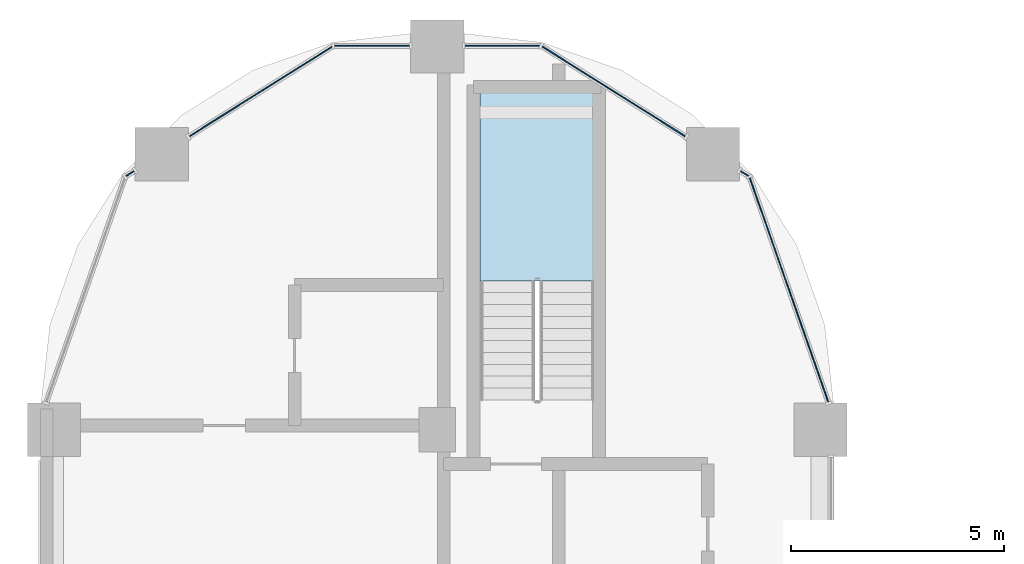
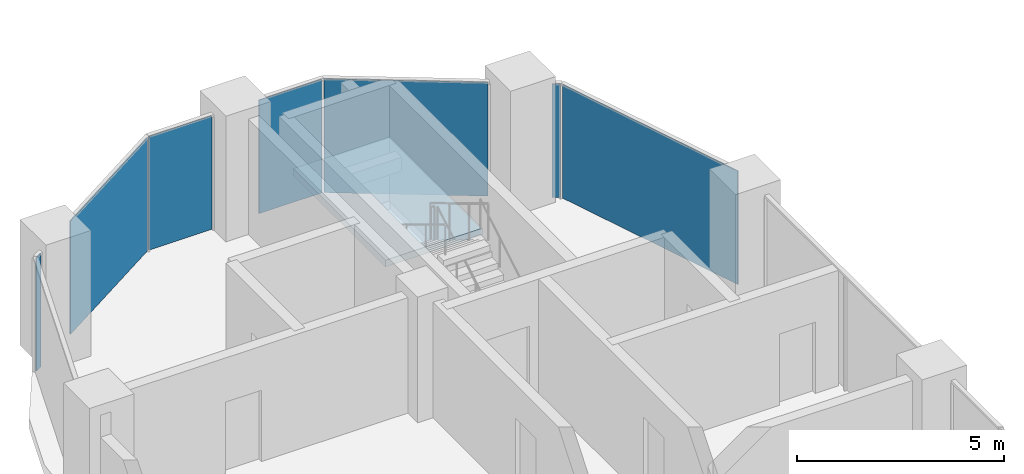
# One storey, part 15 of 33: 7 plates, 1 slab, 5 elements without a shape of their own.
"""IFC4 building model written with IfcOpenShell, lengths in metres."""

from ifc_helpers import new_model, si_unit, direction, frame, origin, origin_2d, place, context, subcontext, project, spatial, polyline, rectangle, outline, extrude, material, layer, layer_set, type_object, element, aggregate, save


model = new_model("IFC4")

# Units and contexts
model_context = context("Model", 3, precision=1e-05, world=origin(), true_north=direction((0.0, 1.0)))
body_context = subcontext(model_context, "Body", "Model", "MODEL_VIEW")
ifc_project = project(units=[si_unit("LENGTHUNIT", "METRE"), si_unit("AREAUNIT", "SQUARE_METRE"), si_unit("VOLUMEUNIT", "CUBIC_METRE"), si_unit("PLANEANGLEUNIT", "RADIAN"), si_unit("MASSUNIT", "GRAM", prefix="KILO")], contexts=[model_context])

# Site, building, storey
site_placement = place(None, origin())
site = spatial("IfcSite", under=ifc_project, at=site_placement, CompositionType="ELEMENT")
building_placement = place(site_placement, origin())
building = spatial("IfcBuilding", under=site, at=building_placement, Name="Ogive Portal Towers", CompositionType="ELEMENT")
storey_placement = place(building_placement, frame((0.0, 0.0, 101.89990234375)))
storey = spatial("IfcBuildingStorey", under=building, at=storey_placement, Name="L24", CompositionType="ELEMENT", Elevation=101.89990234375)

# Curtain wall, plates
ifc_material_1 = material(Name="Glass, clear low-iron insulated glazing", Category="glass")
curtain_wall_type = type_object("IfcCurtainWallType", Name="CW FRONT RIBBON 4500", PredefinedType="NOTDEFINED", material=ifc_material_1)
curtain_wall_1_placement = place(storey_placement, origin())
curtain_wall_1 = element("IfcCurtainWall", 1, at=curtain_wall_1_placement, inside=storey, type_object=curtain_wall_type, Name="A:L24:f07:cwa~0", PredefinedType="NOTDEFINED")
ifc_layer_1 = layer(ifc_material_1, 0.028076171875)
ifc_layer_set_1 = layer_set([ifc_layer_1], Name="CW PANEL IGU 28")
plate_type = type_object("IfcPlateType", Name="CW PANEL IGU 28", PredefinedType="CURTAIN_PANEL", material=ifc_layer_set_1)
plate_1_placement = place(storey_placement, frame((48.760498046875, 69.78564453125, 0.0), z_axis=(0.0, 0.0, 1.0), x_axis=(-0.33027906196, 0.943883330307, 0.0)))
plate_1 = element("IfcPlate", 2, at=plate_1_placement, type_object=plate_type, Name="panel", PredefinedType="CURTAIN_PANEL", context=body_context, shape_type="SweptSolid", body=[
    extrude(rectangle(XDim=5.57763671875, YDim=0.028076171875, at=origin_2d()), origin(), (0.0, 0.0, 1.0), 3.340087890625),
])
plate_2_placement = place(storey_placement, frame((47.713623046875, 72.51904296875, 0.0), z_axis=(0.0, 0.0, 1.0), x_axis=(-0.846724199227, 0.532032076517, 0.0)))
plate_2 = element("IfcPlate", 3, at=plate_2_placement, type_object=plate_type, Name="panel", PredefinedType="CURTAIN_PANEL", context=body_context, shape_type="SweptSolid", body=[
    extrude(rectangle(XDim=0.21337890625, YDim=0.028076171875, at=origin_2d()), origin(), (0.0, 0.0, 1.0), 3.340087890625),
])
aggregate(curtain_wall_1, [plate_1, plate_2])

curtain_wall_2_placement = place(storey_placement, origin())
curtain_wall_2 = element("IfcCurtainWall", 4, at=curtain_wall_2_placement, inside=storey, type_object=curtain_wall_type, Name="A:L24:f07:cwa~1", PredefinedType="NOTDEFINED")
plate_3_placement = place(storey_placement, frame((44.643798828125, 74.447998046875, 0.0), z_axis=(0.0, 0.0, 1.0), x_axis=(-0.846724199227, 0.532032076517, 0.0)))
plate_3 = element("IfcPlate", 5, at=plate_3_placement, type_object=plate_type, Name="panel", PredefinedType="CURTAIN_PANEL", context=body_context, shape_type="SweptSolid", body=[
    extrude(rectangle(XDim=3.96533203125, YDim=0.028076171875, at=origin_2d()), origin(), (0.0, 0.0, 1.0), 3.340087890625),
])
plate_4_placement = place(storey_placement, frame((42.0322265625, 75.518798828125, 0.0), z_axis=(0.0, 0.0, 1.0), x_axis=(-1.0, 0.0, 0.0)))
plate_4 = element("IfcPlate", 6, at=plate_4_placement, type_object=plate_type, Name="panel", PredefinedType="CURTAIN_PANEL", context=body_context, shape_type="SweptSolid", body=[
    extrude(rectangle(XDim=1.754638671875, YDim=0.028076171875, at=origin_2d()), origin(), (0.0, 0.0, 1.0), 3.340087890625),
])
aggregate(curtain_wall_2, [plate_3, plate_4])

curtain_wall_3_placement = place(storey_placement, origin())
curtain_wall_3 = element("IfcCurtainWall", 7, at=curtain_wall_3_placement, inside=storey, type_object=curtain_wall_type, Name="A:L24:f07:cwa~2", PredefinedType="NOTDEFINED")
plate_5_placement = place(storey_placement, frame((38.9677734375, 75.518798828125, 0.0), z_axis=(0.0, 0.0, 1.0), x_axis=(-1.0, 0.0, 0.0)))
plate_5 = element("IfcPlate", 8, at=plate_5_placement, type_object=plate_type, Name="panel", PredefinedType="CURTAIN_PANEL", context=body_context, shape_type="SweptSolid", body=[
    extrude(rectangle(XDim=1.754638671875, YDim=0.028076171875, at=origin_2d()), origin(), (0.0, 0.0, 1.0), 3.340087890625),
])
plate_6_placement = place(storey_placement, frame((36.356201171875, 74.447998046875, 0.0), z_axis=(0.0, 0.0, 1.0), x_axis=(-0.846724199227, -0.532032076517, 0.0)))
plate_6 = element("IfcPlate", 9, at=plate_6_placement, type_object=plate_type, Name="panel", PredefinedType="CURTAIN_PANEL", context=body_context, shape_type="SweptSolid", body=[
    extrude(rectangle(XDim=3.96533203125, YDim=0.028076171875, at=origin_2d()), origin(), (0.0, 0.0, 1.0), 3.340087890625),
])
aggregate(curtain_wall_3, [plate_5, plate_6])

# Curtain wall, plate
curtain_wall_4_placement = place(storey_placement, origin())
curtain_wall_4 = element("IfcCurtainWall", 10, at=curtain_wall_4_placement, inside=storey, type_object=curtain_wall_type, Name="A:L24:f07:cwa~3", PredefinedType="NOTDEFINED")
plate_7_placement = place(storey_placement, frame((33.286376953125, 72.51904296875, 0.0), z_axis=(0.0, 0.0, 1.0), x_axis=(-0.846724199227, -0.532032076517, 0.0)))
plate_7 = element("IfcPlate", 11, at=plate_7_placement, type_object=plate_type, Name="panel", PredefinedType="CURTAIN_PANEL", context=body_context, shape_type="SweptSolid", body=[
    extrude(rectangle(XDim=0.21337890625, YDim=0.028076171875, at=origin_2d()), origin(), (0.0, 0.0, 1.0), 3.340087890625),
])
aggregate(curtain_wall_4, [plate_7])

# Stair, slab
ifc_material_2 = material(Name="Concrete C40/50", Category="concrete")
stair_type = type_object("IfcStairType", Name="INT-STAIR", PredefinedType="HALF_TURN_STAIR", material=ifc_material_2)
stair_placement = place(storey_placement, origin())
stair = element("IfcStair", 12, at=stair_placement, inside=storey, type_object=stair_type, Name="L24 Exit Stair ST-A3", PredefinedType="HALF_TURN_STAIR")
ifc_layer_2 = layer(ifc_material_2, 0.199951171875)
ifc_layer_set_2 = layer_set([ifc_layer_2], Name="INT-LANDING")
slab_type = type_object("IfcSlabType", Name="INT-LANDING", PredefinedType="LANDING", material=ifc_layer_set_2)
slab_placement = place(storey_placement, frame((0.0, 0.0, 1.650146484375)))
slab = element("IfcSlab", 13, at=slab_placement, type_object=slab_type, Name="ST-A3 landing 1", PredefinedType="LANDING", context=body_context, shape_type="SweptSolid", body=[
    extrude(outline(polyline([(44.199951171875, 70.0), (44.199951171875, 74.449951171875), (41.5, 74.449951171875), (41.5, 70.0), (44.199951171875, 70.0)])), origin(), (0.0, 0.0, 1.0), 0.199951171875),
])
aggregate(stair, [slab])

save(model, "model.ifc")
